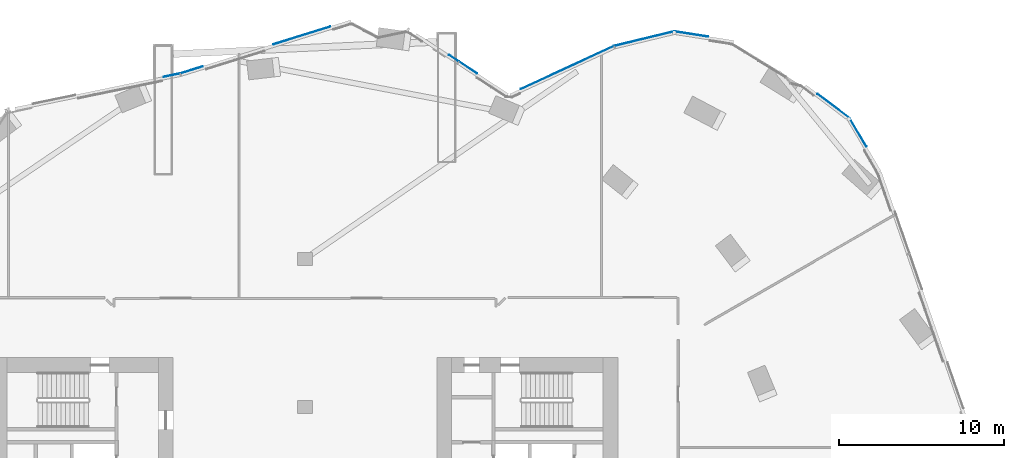
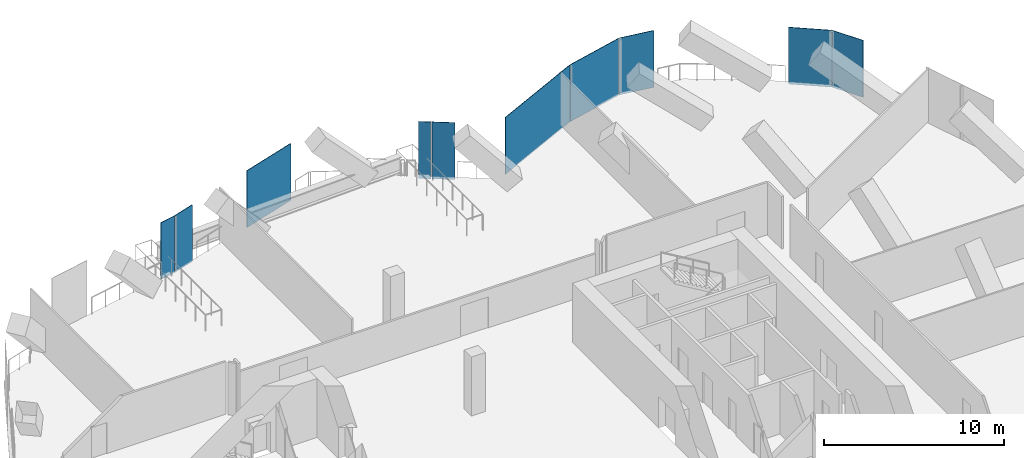
# One storey, part 17 of 26: 10 plates, 8 elements without a shape of their own.
"""IFC4 building model written with IfcOpenShell, lengths in metres."""

from ifc_helpers import new_model, si_unit, direction, frame, origin, origin_2d, place, context, subcontext, project, spatial, rectangle, extrude, material, layer, layer_set, type_object, element, aggregate, save


model = new_model("IFC4")

# Units and contexts
model_context = context("Model", 3, precision=1e-05, world=origin(), true_north=direction((0.0, 1.0)))
body_context = subcontext(model_context, "Body", "Model", "MODEL_VIEW")
ifc_project = project(units=[si_unit("LENGTHUNIT", "METRE"), si_unit("AREAUNIT", "SQUARE_METRE"), si_unit("VOLUMEUNIT", "CUBIC_METRE"), si_unit("PLANEANGLEUNIT", "RADIAN"), si_unit("MASSUNIT", "GRAM", prefix="KILO")], contexts=[model_context])

# Site, building, storey
site_placement = place(None, origin())
site = spatial("IfcSite", under=ifc_project, at=site_placement, CompositionType="ELEMENT")
building_placement = place(site_placement, origin())
building = spatial("IfcBuilding", under=site, at=building_placement, Name="Orlundy Tower", CompositionType="ELEMENT")
storey_placement = place(building_placement, frame((0.0, 0.0, 249.5)))
storey = spatial("IfcBuildingStorey", under=building, at=storey_placement, Name="L66", CompositionType="ELEMENT", Elevation=249.5)

# Curtain wall, plates
ifc_material_1 = material(Name="Aluminium bronze anodised", Category="aluminium")
curtain_wall_type = type_object("IfcCurtainWallType", Name="CW5 wall", PredefinedType="NOTDEFINED", material=ifc_material_1)
curtain_wall_1_placement = place(storey_placement, origin())
curtain_wall_1 = element("IfcCurtainWall", 1, at=curtain_wall_1_placement, inside=storey, type_object=curtain_wall_type, Name="CW5 run 011", PredefinedType="NOTDEFINED")
ifc_material_2 = material(Name="Tinted glass", Category="glass")
ifc_layer_1 = layer(ifc_material_2, 0.031982421875)
ifc_layer_set_1 = layer_set([ifc_layer_1], Name="CW5 glass panel 32")
plate_type_1 = type_object("IfcPlateType", Name="CW5 glass panel 32", PredefinedType="CURTAIN_PANEL", material=ifc_layer_set_1)
plate_1_placement = place(storey_placement, frame((-6.8720703125, 29.474609375, -0.2802734375), z_axis=(0.0, 0.0, 1.0), x_axis=(0.954567740657, 0.297994007486, 0.0)))
plate_1 = element("IfcPlate", 2, at=plate_1_placement, type_object=plate_type_1, Name="CW5 panel", PredefinedType="CURTAIN_PANEL", context=body_context, shape_type="SweptSolid", body=[
    extrude(rectangle(XDim=1.408447265625, YDim=0.031982421875, at=origin_2d()), origin(), (0.0, 0.0, 1.0), 3.860107421875),
])
plate_2_placement = place(storey_placement, frame((-0.192626953125, 31.559814453125, -0.2802734375), z_axis=(0.0, 0.0, 1.0), x_axis=(0.954567740657, 0.297994007486, 0.0)))
plate_2 = element("IfcPlate", 3, at=plate_2_placement, type_object=plate_type_1, Name="CW5 panel", PredefinedType="CURTAIN_PANEL", context=body_context, shape_type="SweptSolid", body=[
    extrude(rectangle(XDim=3.597900390625, YDim=0.031982421875, at=origin_2d()), origin(), (0.0, 0.0, 1.0), 3.860107421875),
])
aggregate(curtain_wall_1, [plate_1, plate_2])

# Curtain wall, plate
curtain_wall_2_placement = place(storey_placement, origin())
curtain_wall_2 = element("IfcCurtainWall", 4, at=curtain_wall_2_placement, inside=storey, type_object=curtain_wall_type, Name="CW5 run 014", PredefinedType="NOTDEFINED")
plate_3_placement = place(storey_placement, frame((9.0302734375, 30.18798828125, -0.2802734375), z_axis=(0.0, 0.0, 1.0), x_axis=(0.835495906314, -0.549496670175, 0.0)))
plate_3 = element("IfcPlate", 5, at=plate_3_placement, type_object=plate_type_1, Name="CW5 panel", PredefinedType="CURTAIN_PANEL", context=body_context, shape_type="SweptSolid", body=[
    extrude(rectangle(XDim=0.6953125, YDim=0.031982421875, at=origin_2d()), origin(), (0.0, 0.0, 1.0), 3.860107421875),
])

curtain_wall_3_placement = place(storey_placement, origin())
curtain_wall_3 = element("IfcCurtainWall", 6, at=curtain_wall_3_placement, inside=storey, type_object=curtain_wall_type, Name="CW5 run 015", PredefinedType="NOTDEFINED")
plate_4_placement = place(storey_placement, frame((15.921630859375, 29.608642578125, -0.2802734375), z_axis=(0.0, 0.0, 1.0), x_axis=(0.907530492787, 0.419986195799, 0.0)))
plate_4 = element("IfcPlate", 7, at=plate_4_placement, type_object=plate_type_1, Name="CW5 panel", PredefinedType="CURTAIN_PANEL", context=body_context, shape_type="SweptSolid", body=[
    extrude(rectangle(XDim=6.216064453125, YDim=0.031982421875, at=origin_2d()), origin(), (0.0, 0.0, 1.0), 3.860107421875),
])
aggregate(curtain_wall_3, [plate_4])

curtain_wall_4_placement = place(storey_placement, origin())
curtain_wall_4 = element("IfcCurtainWall", 8, at=curtain_wall_4_placement, inside=storey, type_object=curtain_wall_type, Name="CW5 run 016", PredefinedType="NOTDEFINED")
plate_5_placement = place(storey_placement, frame((20.60546875, 31.369384765625, -0.2802734375), z_axis=(0.0, 0.0, 1.0), x_axis=(0.972001521614, 0.234974556025, 0.0)))
plate_5 = element("IfcPlate", 9, at=plate_5_placement, type_object=plate_type_1, Name="CW5 panel", PredefinedType="CURTAIN_PANEL", context=body_context, shape_type="SweptSolid", body=[
    extrude(rectangle(XDim=3.736328125, YDim=0.031982421875, at=origin_2d()), origin(), (0.0, 0.0, 1.0), 3.860107421875),
])
aggregate(curtain_wall_4, [plate_5])

curtain_wall_5_placement = place(storey_placement, origin())
curtain_wall_5 = element("IfcCurtainWall", 10, at=curtain_wall_5_placement, inside=storey, type_object=curtain_wall_type, Name="CW5 run 021", PredefinedType="NOTDEFINED")
plate_6_placement = place(storey_placement, frame((32.095703125, 27.27294921875, -0.2802734375), z_axis=(0.0, 0.0, 1.0), x_axis=(0.797760617853, -0.602974291826, 0.0)))
plate_6 = element("IfcPlate", 11, at=plate_6_placement, type_object=plate_type_1, Name="CW5 panel", PredefinedType="CURTAIN_PANEL", context=body_context, shape_type="SweptSolid", body=[
    extrude(rectangle(XDim=2.4453125, YDim=0.031982421875, at=origin_2d()), origin(), (0.0, 0.0, 1.0), 3.860107421875),
])
aggregate(curtain_wall_5, [plate_6])

curtain_wall_6_placement = place(storey_placement, origin())
curtain_wall_6 = element("IfcCurtainWall", 12, at=curtain_wall_6_placement, inside=storey, type_object=curtain_wall_type, Name="CW5 run 022", PredefinedType="NOTDEFINED")
plate_7_placement = place(storey_placement, frame((33.57470703125, 25.67822265625, -0.2802734375), z_axis=(0.0, 0.0, 1.0), x_axis=(0.506418670322, -0.862287730604, 0.0)))
plate_7 = element("IfcPlate", 13, at=plate_7_placement, type_object=plate_type_1, Name="CW5 panel", PredefinedType="CURTAIN_PANEL", context=body_context, shape_type="SweptSolid", body=[
    extrude(rectangle(XDim=1.989013671875, YDim=0.031982421875, at=origin_2d()), origin(), (0.0, 0.0, 1.0), 3.860107421875),
])
aggregate(curtain_wall_6, [plate_7])

curtain_wall_7_placement = place(storey_placement, origin())
curtain_wall_7 = element("IfcCurtainWall", 14, at=curtain_wall_7_placement, inside=storey, type_object=curtain_wall_type, Name="CW5 run 010", PredefinedType="NOTDEFINED")
ifc_material_3 = material(Name="Tinted glass", Category="glass")
ifc_layer_2 = layer(ifc_material_3, 0.031982421875)
ifc_layer_set_2 = layer_set([ifc_layer_2], Name="CW5 vent panel 32")
plate_type_2 = type_object("IfcPlateType", Name="CW5 vent panel 32", PredefinedType="CURTAIN_PANEL", material=ifc_layer_set_2)
plate_8_placement = place(storey_placement, frame((-8.083984375, 29.15087890625, -0.2802734375), z_axis=(0.0, 0.0, 1.0), x_axis=(0.979345383323, 0.202194510718, 0.0)))
plate_8 = element("IfcPlate", 15, at=plate_8_placement, type_object=plate_type_2, Name="CW5 panel", PredefinedType="CURTAIN_PANEL", context=body_context, shape_type="SweptSolid", body=[
    extrude(rectangle(XDim=1.003173828125, YDim=0.031982421875, at=origin_2d()), origin(), (0.0, 0.0, 1.0), 3.860107421875),
])
aggregate(curtain_wall_7, [plate_8])

# Plate
plate_9_placement = place(storey_placement, frame((9.904052734375, 29.61328125, -0.2802734375), z_axis=(0.0, 0.0, 1.0), x_axis=(0.835495906314, -0.549496670175, 0.0)))
plate_9 = element("IfcPlate", 16, at=plate_9_placement, type_object=plate_type_2, Name="CW5 panel", PredefinedType="CURTAIN_PANEL", context=body_context, shape_type="SweptSolid", body=[
    extrude(rectangle(XDim=1.296142578125, YDim=0.031982421875, at=origin_2d()), origin(), (0.0, 0.0, 1.0), 3.860107421875),
])

aggregate(curtain_wall_2, [plate_3, plate_9])

# Curtain wall, plate
curtain_wall_8_placement = place(storey_placement, origin())
curtain_wall_8 = element("IfcCurtainWall", 17, at=curtain_wall_8_placement, inside=storey, type_object=curtain_wall_type, Name="CW5 run 017", PredefinedType="NOTDEFINED")
plate_10_placement = place(storey_placement, frame((23.448974609375, 31.647216796875, -0.2802734375), z_axis=(0.0, 0.0, 1.0), x_axis=(0.987896030416, -0.15511748157, 0.0)))
plate_10 = element("IfcPlate", 18, at=plate_10_placement, type_object=plate_type_2, Name="CW5 panel", PredefinedType="CURTAIN_PANEL", context=body_context, shape_type="SweptSolid", body=[
    extrude(rectangle(XDim=2.080322265625, YDim=0.031982421875, at=origin_2d()), origin(), (0.0, 0.0, 1.0), 3.860107421875),
])
aggregate(curtain_wall_8, [plate_10])

save(model, "model.ifc")
